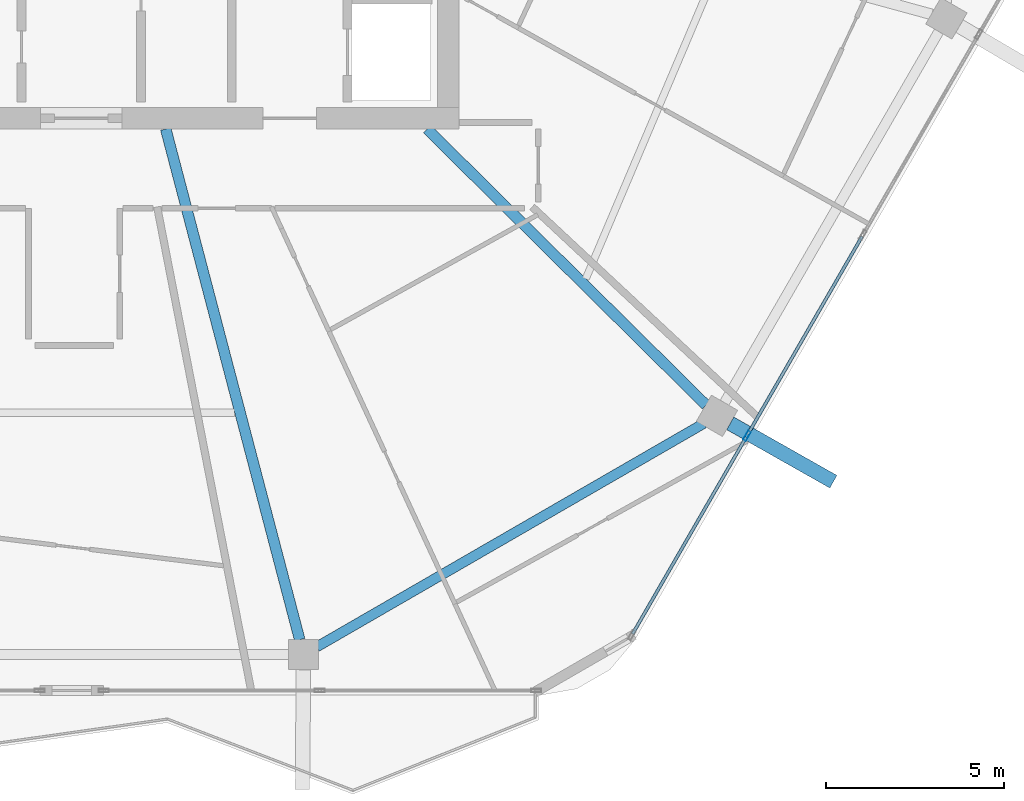
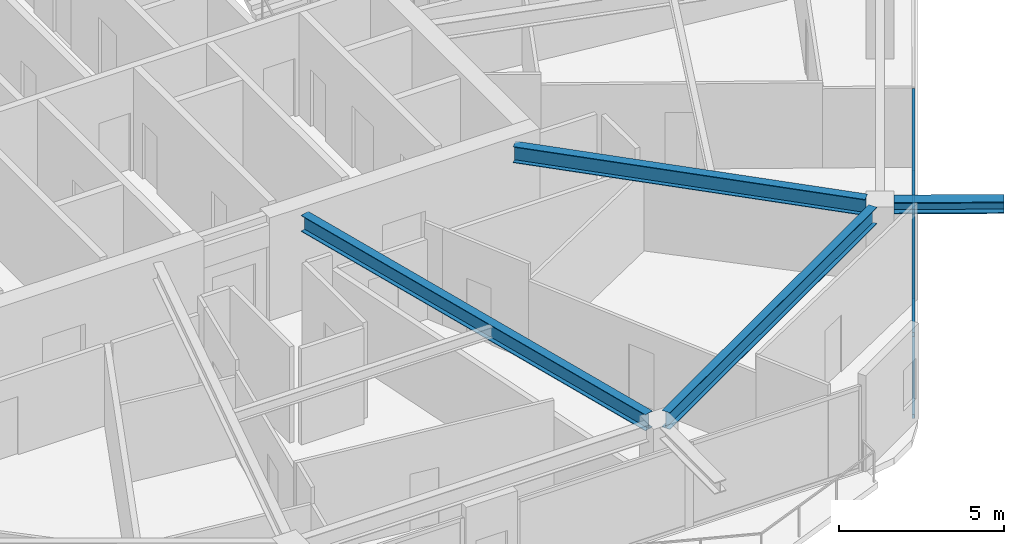
# One storey, part 8 of 27: 5 members, 4 beams, 1 element without a shape of its own.
"""IFC4 building model written with IfcOpenShell, lengths in metres."""

from ifc_helpers import new_model, si_unit, direction, frame, origin, origin_2d, place, context, subcontext, project, spatial, hollow_rectangle, i_section, extrude, material, material_profile, profile_set, type_object, element, aggregate, save


model = new_model("IFC4")

# Units and contexts
model_context = context("Model", 3, precision=1e-05, world=origin(), true_north=direction((0.0, 1.0)))
body_context = subcontext(model_context, "Body", "Model", "MODEL_VIEW")
ifc_project = project(units=[si_unit("LENGTHUNIT", "METRE"), si_unit("AREAUNIT", "SQUARE_METRE"), si_unit("VOLUMEUNIT", "CUBIC_METRE"), si_unit("PLANEANGLEUNIT", "RADIAN"), si_unit("MASSUNIT", "GRAM", prefix="KILO")], contexts=[model_context])

# Site, building, storey
site_placement = place(None, origin())
site = spatial("IfcSite", under=ifc_project, at=site_placement, CompositionType="ELEMENT")
building_placement = place(site_placement, origin())
building = spatial("IfcBuilding", under=site, at=building_placement, Name="Zuhravey Tower", CompositionType="ELEMENT")
storey_placement = place(building_placement, frame((0.0, 0.0, 265.39990234375)))
storey = spatial("IfcBuildingStorey", under=building, at=storey_placement, Name="L67", CompositionType="ELEMENT", Elevation=265.39990234375)

# Curtain wall, members
ifc_material_1 = material(Name="Thermally broken anodised aluminium", Category="aluminium")
curtain_wall_type = type_object("IfcCurtainWallType", Name="Zone 3-4 High-Rise Curtain Wall CW4", PredefinedType="NOTDEFINED", material=ifc_material_1)
curtain_wall_placement = place(storey_placement, origin())
curtain_wall = element("IfcCurtainWall", 1, at=curtain_wall_placement, inside=storey, type_object=curtain_wall_type, Name="L67 CW4 CW-L67-F6-1", PredefinedType="NOTDEFINED")
ifc_material_2 = material(Name="Anodised aluminium", Category="aluminium")
ifc_material_profile_1 = material_profile(ifc_material_2, hollow_rectangle(XDim=0.090087890625, YDim=0.284912109375, WallThickness=0.0048828125, at=origin_2d()), Name="ALU-RHS-90x285x5")
ifc_profile_set_1 = profile_set([ifc_material_profile_1], Name="Anodised aluminium")
member_type_1 = type_object("IfcMemberType", Name="Curtain-Wall Mullion 90x180", PredefinedType="MULLION", material=ifc_profile_set_1)
member_1_placement = place(storey_placement, frame((54.885498046875, 13.58349609375, 0.0), z_axis=(0.0, 0.0, 1.0), x_axis=(0.866024851021, -0.500000957414, 0.0)))
member_1 = element("IfcMember", 2, at=member_1_placement, type_object=member_type_1, Name="CW4 mullion 4", PredefinedType="MULLION", context=body_context, shape_type="SweptSolid", body=[
    extrude(hollow_rectangle(XDim=0.090087890625, YDim=0.284912109375, WallThickness=0.0048828125, at=origin_2d()), origin(), (0.0, 0.0, 1.0), 3.1220703125),
])
ifc_material_profile_2 = material_profile(ifc_material_2, hollow_rectangle(XDim=0.090087890625, YDim=0.14990234375, WallThickness=0.0048828125, at=origin_2d()), Name="ALU-RHS-90x150x5")
ifc_profile_set_2 = profile_set([ifc_material_profile_2], Name="Anodised aluminium")
member_type_2 = type_object("IfcMemberType", Name="Curtain-Wall Transom 90x150", PredefinedType="USERDEFINED", material=ifc_profile_set_2)
member_2_placement = place(storey_placement, frame((58.1162109375, 19.17919921875, 0.045166015625), z_axis=(-0.500014493347, -0.866017035885, 0.0), x_axis=(0.866017035885, -0.500014493347, 0.0)))
member_2 = element("IfcMember", 3, at=member_2_placement, type_object=member_type_2, Name="CW4 transom 3.1", ObjectType="TRANSOM", PredefinedType="USERDEFINED", context=body_context, shape_type="SweptSolid", body=[
    extrude(hollow_rectangle(XDim=0.090087890625, YDim=0.14990234375, WallThickness=0.0048828125, at=origin_2d()), origin(), (0.0, 0.0, 1.0), 6.416259765625),
])
member_3_placement = place(storey_placement, frame((58.1162109375, 19.17919921875, 3.0771484375), z_axis=(-0.500014493347, -0.866017035885, 0.0), x_axis=(0.866017035885, -0.500014493347, 0.0)))
member_3 = element("IfcMember", 4, at=member_3_placement, type_object=member_type_2, Name="CW4 transom 3.2", ObjectType="TRANSOM", PredefinedType="USERDEFINED", context=body_context, shape_type="SweptSolid", body=[
    extrude(hollow_rectangle(XDim=0.090087890625, YDim=0.14990234375, WallThickness=0.0048828125, at=origin_2d()), origin(), (0.0, 0.0, 1.0), 6.416259765625),
])
member_4_placement = place(storey_placement, frame((54.863037109375, 13.544677734375, 0.045166015625), z_axis=(-0.499980071345, -0.866036909293, 0.0), x_axis=(0.866036909293, -0.499980071345, 0.0)))
member_4 = element("IfcMember", 5, at=member_4_placement, type_object=member_type_2, Name="CW4 transom 4.1", ObjectType="TRANSOM", PredefinedType="USERDEFINED", context=body_context, shape_type="SweptSolid", body=[
    extrude(hollow_rectangle(XDim=0.090087890625, YDim=0.14990234375, WallThickness=0.0048828125, at=origin_2d()), origin(), (0.0, 0.0, 1.0), 6.371337890625),
])
member_5_placement = place(storey_placement, frame((54.863037109375, 13.544677734375, 3.0771484375), z_axis=(-0.499980071345, -0.866036909293, 0.0), x_axis=(0.866036909293, -0.499980071345, 0.0)))
member_5 = element("IfcMember", 6, at=member_5_placement, type_object=member_type_2, Name="CW4 transom 4.2", ObjectType="TRANSOM", PredefinedType="USERDEFINED", context=body_context, shape_type="SweptSolid", body=[
    extrude(hollow_rectangle(XDim=0.090087890625, YDim=0.14990234375, WallThickness=0.0048828125, at=origin_2d()), origin(), (0.0, 0.0, 1.0), 6.371337890625),
])
aggregate(curtain_wall, [member_1, member_2, member_3, member_4, member_5])

# Beams
ifc_material_3 = material(Name="Steel SM460", Category="steel")
ifc_material_profile_3 = material_profile(ifc_material_3, i_section(OverallWidth=0.406982421875, OverallDepth=0.427978515625, WebThickness=0.02001953125, FlangeThickness=0.034912109375, at=origin_2d()), Name="H-428x407x20x35")
ifc_profile_set_3 = profile_set([ifc_material_profile_3], Name="Steel SM460")
beam_type_1 = type_object("IfcBeamType", Name="Exoskeleton Node Tie Beam H428x407", PredefinedType="BEAM", material=ifc_profile_set_3)
beam_1_placement = place(storey_placement, frame((54.4169921875, 13.93408203125, 3.336181640625), z_axis=(0.870385064001, -0.492371648619, 0.0), x_axis=(0.492371648619, 0.870385064001, 0.0)))
element("IfcBeam", 7, at=beam_1_placement, inside=storey, type_object=beam_type_1, Name="L67 Exoskeleton Node Tie NT1-11", PredefinedType="BEAM", context=body_context, shape_type="SweptSolid", body=[
    extrude(i_section(OverallWidth=0.406982421875, OverallDepth=0.427978515625, WebThickness=0.02001953125, FlangeThickness=0.034912109375, at=origin_2d()), origin(), (0.0, 0.0, 1.0), 3.326171875),
])
ifc_material_4 = material(Name="Steel SM355", Category="steel")
ifc_material_profile_4 = material_profile(ifc_material_4, i_section(OverallWidth=0.280029296875, OverallDepth=0.6201171875, WebThickness=0.011962890625, FlangeThickness=0.02001953125, at=origin_2d()), Name="H-620x280x12x20")
ifc_profile_set_4 = profile_set([ifc_material_profile_4], Name="Steel SM355")
beam_type_2 = type_object("IfcBeamType", Name="Perimeter Ring Beam H620x280", PredefinedType="BEAM", material=ifc_profile_set_4)
beam_2_placement = place(storey_placement, frame((42.8115234375, 7.660400390625, 3.239990234375), z_axis=(0.866018312875, 0.500012281615, 0.0), x_axis=(-0.500012281615, 0.866018312875, 0.0)))
element("IfcBeam", 8, at=beam_2_placement, inside=storey, type_object=beam_type_2, Name="L67 PB3 BM-L67-PB-10", PredefinedType="BEAM", context=body_context, shape_type="SweptSolid", body=[
    extrude(i_section(OverallWidth=0.280029296875, OverallDepth=0.6201171875, WebThickness=0.011962890625, FlangeThickness=0.02001953125, at=origin_2d()), origin(), (0.0, 0.0, 1.0), 12.541748046875),
])
ifc_material_profile_5 = material_profile(ifc_material_4, i_section(OverallWidth=0.300048828125, OverallDepth=0.60009765625, WebThickness=0.011962890625, FlangeThickness=0.02001953125, at=origin_2d()), Name="H-600x300x12x20")
ifc_profile_set_5 = profile_set([ifc_material_profile_5], Name="Steel SM355")
beam_type_3 = type_object("IfcBeamType", Name="Radial Primary Girder H600x300", PredefinedType="BEAM", material=ifc_profile_set_5)
beam_3_placement = place(storey_placement, frame((38.571533203125, 22.197021484375, 3.25), z_axis=(0.25373188956, -0.967274587809, 0.0), x_axis=(0.967274587809, 0.25373188956, 0.0)))
element("IfcBeam", 9, at=beam_3_placement, inside=storey, type_object=beam_type_3, Name="L67 RG3 BM-L67-RAD-10", PredefinedType="BEAM", context=body_context, shape_type="SweptSolid", body=[
    extrude(i_section(OverallWidth=0.300048828125, OverallDepth=0.60009765625, WebThickness=0.011962890625, FlangeThickness=0.02001953125, at=origin_2d()), origin(), (0.0, 0.0, 1.0), 14.82177734375),
])
beam_4_placement = place(storey_placement, frame((45.90673828125, 22.197021484375, 3.25), z_axis=(0.710808169267, -0.70338591577, 0.0), x_axis=(0.70338591577, 0.710808169267, 0.0)))
element("IfcBeam", 10, at=beam_4_placement, inside=storey, type_object=beam_type_3, Name="L67 RG3 BM-L67-RAD-11", PredefinedType="BEAM", context=body_context, shape_type="SweptSolid", body=[
    extrude(i_section(OverallWidth=0.300048828125, OverallDepth=0.60009765625, WebThickness=0.011962890625, FlangeThickness=0.02001953125, at=origin_2d()), origin(), (0.0, 0.0, 1.0), 11.019287109375),
])

save(model, "model.ifc")
